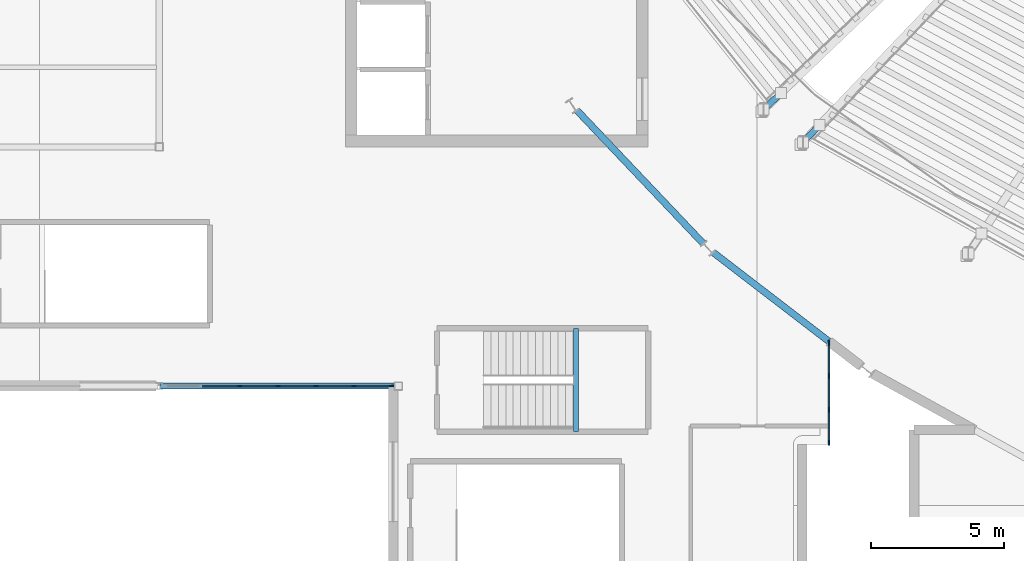
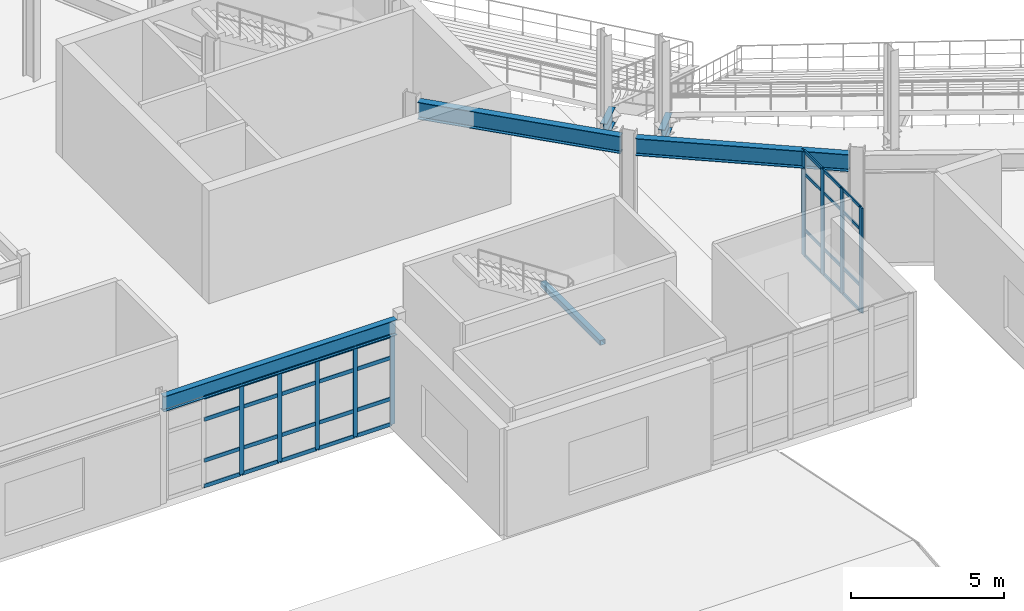
# One storey, part 21 of 81: 41 members, 6 beams, 2 elements without a shape of their own.
"""IFC4 building model written with IfcOpenShell, lengths in metres."""

from ifc_helpers import new_model, si_unit, direction, frame, origin, origin_2d, place, context, subcontext, project, spatial, rectangle, hollow_rectangle, i_section, extrude, material, material_profile, profile_set, type_object, element, aggregate, save


model = new_model("IFC4")

# Units and contexts
model_context = context("Model", 3, precision=1e-05, world=origin(), true_north=direction((0.0, 1.0)))
body_context = subcontext(model_context, "Body", "Model", "MODEL_VIEW")
ifc_project = project(units=[si_unit("LENGTHUNIT", "METRE"), si_unit("AREAUNIT", "SQUARE_METRE"), si_unit("VOLUMEUNIT", "CUBIC_METRE"), si_unit("PLANEANGLEUNIT", "RADIAN"), si_unit("MASSUNIT", "GRAM", prefix="KILO")], contexts=[model_context])

# Site, building, storey
site_placement = place(None, origin())
site = spatial("IfcSite", under=ifc_project, at=site_placement, CompositionType="ELEMENT")
building_placement = place(site_placement, origin())
building = spatial("IfcBuilding", under=site, at=building_placement, Name="Glasvene Arena", CompositionType="ELEMENT")
storey_placement = place(building_placement, frame((0.0, 0.0, 15.0)))
storey = spatial("IfcBuildingStorey", under=building, at=storey_placement, Name="L03", CompositionType="ELEMENT", Elevation=15.0)

# Beams
ifc_material_1 = material(Name="Steel S355J2", Category="steel")
ifc_material_profile_1 = material_profile(ifc_material_1, i_section(OverallWidth=0.228271484375, OverallDepth=0.607666015625, WebThickness=0.010986328125, FlangeThickness=0.017333984375, FilletRadius=0.0126953125, at=origin_2d()), Name="UKB 610x229x113")
ifc_profile_set_1 = profile_set([ifc_material_profile_1], Name="Steel S355J2")
beam_type_1 = type_object("IfcBeamType", Name="BM-GIRD-610", PredefinedType="BEAM", material=ifc_profile_set_1)
beam_1_placement = place(storey_placement, frame((36.050048828125, 36.0, 3.9462890625), z_axis=(1.0, 0.0, 0.0), x_axis=(0.0, 1.0, 0.0)))
element("IfcBeam", 1, at=beam_1_placement, inside=storey, type_object=beam_type_1, Name="Primary X girder L03-0940", PredefinedType="BEAM", context=body_context, shape_type="SweptSolid", body=[
    extrude(i_section(OverallWidth=0.228271484375, OverallDepth=0.607666015625, WebThickness=0.010986328125, FlangeThickness=0.017333984375, FilletRadius=0.0126953125, at=origin_2d()), origin(), (0.0, 0.0, 1.0), 8.804931640625),
])
for number, where, z_axis, x_axis, name in (
    (2, (59.394287109375, 47.022705078125, 0.60498046875), (-0.723078356625, -0.690766016955, 0.0), (0.690766016955, -0.723078356625, 0.0), "Upper raker rear seat haunch girder RKS-10-3"),
    (3, (60.84130859375, 45.81640625, 0.60498046875), (-0.691010672315, -0.722844555037, 0.0), (0.722844555037, -0.691010672315, 0.0), "Upper raker rear seat haunch girder RKS-11-1"),
):
    element("IfcBeam", number, at=place(storey_placement, frame(where, z_axis=z_axis, x_axis=x_axis)), inside=storey, type_object=beam_type_1, Name=name, PredefinedType="BEAM", context=body_context, shape_type="SweptSolid", body=[
        extrude(i_section(OverallWidth=0.228271484375, OverallDepth=0.607666015625, WebThickness=0.010986328125, FlangeThickness=0.017333984375, FilletRadius=0.0126953125, at=origin_2d()), origin(), (0.0, 0.0, 1.0), 1.02001953125),
    ])
ifc_material_profile_2 = material_profile(ifc_material_1, i_section(OverallWidth=0.253662109375, OverallDepth=0.68359375, WebThickness=0.012451171875, FlangeThickness=0.01904296875, FilletRadius=0.01513671875, at=origin_2d()), Name="UKB 686x254x140")
ifc_profile_set_2 = profile_set([ifc_material_profile_2], Name="Steel S355J2")
beam_type_2 = type_object("IfcBeamType", Name="BM-GIRD-686", PredefinedType="BEAM", material=ifc_profile_set_2)
beam_2_placement = place(storey_placement, frame((51.71435546875, 46.37548828125, 3.908203125), z_axis=(0.688366558931, -0.725362999157, 0.0), x_axis=(0.725362999157, 0.688366558931, 0.0)))
element("IfcBeam", 4, at=beam_2_placement, inside=storey, type_object=beam_type_2, Name="Bowl ring chord beam L03-25", PredefinedType="BEAM", context=body_context, shape_type="SweptSolid", body=[
    extrude(i_section(OverallWidth=0.253662109375, OverallDepth=0.68359375, WebThickness=0.012451171875, FlangeThickness=0.01904296875, FilletRadius=0.01513671875, at=origin_2d()), origin(), (0.0, 0.0, 1.0), 6.92236328125),
])
beam_3_placement = place(storey_placement, frame((56.8349609375, 41.033935546875, 3.908203125), z_axis=(0.792832644474, -0.609439412786, 0.0), x_axis=(0.609439412786, 0.792832644474, 0.0)))
element("IfcBeam", 5, at=beam_3_placement, inside=storey, type_object=beam_type_2, Name="Bowl ring chord beam L03-26", PredefinedType="BEAM", context=body_context, shape_type="SweptSolid", body=[
    extrude(i_section(OverallWidth=0.253662109375, OverallDepth=0.68359375, WebThickness=0.012451171875, FlangeThickness=0.01904296875, FilletRadius=0.01513671875, at=origin_2d()), origin(), (0.0, 0.0, 1.0), 7.044921875),
])
ifc_material_profile_3 = material_profile(ifc_material_1, hollow_rectangle(XDim=0.199951171875, YDim=0.199951171875, WallThickness=0.010009765625, at=origin_2d()), Name="SHS 200x200x10.0")
ifc_profile_set_3 = profile_set([ifc_material_profile_3], Name="Steel S355J2")
beam_type_3 = type_object("IfcBeamType", Name="BM-LINTEL-200", PredefinedType="LINTEL", material=ifc_profile_set_3)
beam_4_placement = place(storey_placement, frame((51.679931640625, 34.280029296875, 1.929931640625), z_axis=(0.0, 1.0, 0.0), x_axis=(-1.0, 0.0, 0.0)))
element("IfcBeam", 6, at=beam_4_placement, inside=storey, type_object=beam_type_3, Name="Stair half-landing support beam ST-05-L03", PredefinedType="LINTEL", context=body_context, shape_type="SweptSolid", body=[
    extrude(hollow_rectangle(XDim=0.199951171875, YDim=0.199951171875, WallThickness=0.010009765625, at=origin_2d()), origin(), (0.0, 0.0, 1.0), 3.889892578125),
])

# Curtain wall, members
ifc_material_2 = material(Name="Low-emissivity laminated double glazing", Category="glass")
curtain_wall_type_1 = type_object("IfcCurtainWallType", Name="CW-FAC-L03-859x358", PredefinedType="USERDEFINED", material=ifc_material_2)
curtain_wall_1_placement = place(storey_placement, frame((44.760009765625, 36.0, 0.0)))
curtain_wall_1 = element("IfcCurtainWall", 7, at=curtain_wall_1_placement, inside=storey, type_object=curtain_wall_type_1, Name="Unitised curtain wall CW-F-L03-150-405-360-73", ObjectType="CURTAIN WALL", PredefinedType="USERDEFINED")
ifc_material_3 = material(Name="Anodised architectural aluminium", Category="aluminium")
ifc_material_profile_4 = material_profile(ifc_material_3, rectangle(XDim=0.050048828125, YDim=0.159912109375, at=origin_2d()), Name="ALU MULLION 50x160")
ifc_profile_set_4 = profile_set([ifc_material_profile_4], Name="Anodised architectural aluminium")
member_type_1 = type_object("IfcMemberType", Name="CW-MUL-150", PredefinedType="MULLION", material=ifc_profile_set_4)
member_1_placement = place(storey_placement, frame((44.735107421875, 36.0, 0.06005859375), z_axis=(0.0, 0.0, 1.0), x_axis=(0.0, -1.0, 0.0)))
member_1 = element("IfcMember", 8, at=member_1_placement, type_object=member_type_1, Name="CW-045 mullion 1", PredefinedType="MULLION", context=body_context, shape_type="SweptSolid", body=[
    extrude(rectangle(XDim=0.050048828125, YDim=0.159912109375, at=origin_2d()), origin(), (0.0, 0.0, 1.0), 3.576904296875),
])
member_2_placement = place(storey_placement, frame((43.328369140625, 36.0, 0.06005859375), z_axis=(0.0, 0.0, 1.0), x_axis=(0.0, -1.0, 0.0)))
member_2 = element("IfcMember", 9, at=member_2_placement, type_object=member_type_1, Name="CW-045 mullion 2", PredefinedType="MULLION", context=body_context, shape_type="SweptSolid", body=[
    extrude(rectangle(XDim=0.050048828125, YDim=0.159912109375, at=origin_2d()), origin(), (0.0, 0.0, 1.0), 3.576904296875),
])
member_3_placement = place(storey_placement, frame((41.896728515625, 36.0, 0.06005859375), z_axis=(0.0, 0.0, 1.0), x_axis=(0.0, -1.0, 0.0)))
member_3 = element("IfcMember", 10, at=member_3_placement, type_object=member_type_1, Name="CW-045 mullion 3", PredefinedType="MULLION", context=body_context, shape_type="SweptSolid", body=[
    extrude(rectangle(XDim=0.050048828125, YDim=0.159912109375, at=origin_2d()), origin(), (0.0, 0.0, 1.0), 3.576904296875),
])
member_4_placement = place(storey_placement, frame((40.465087890625, 36.0, 0.06005859375), z_axis=(0.0, 0.0, 1.0), x_axis=(0.0, -1.0, 0.0)))
member_4 = element("IfcMember", 11, at=member_4_placement, type_object=member_type_1, Name="CW-045 mullion 4", PredefinedType="MULLION", context=body_context, shape_type="SweptSolid", body=[
    extrude(rectangle(XDim=0.050048828125, YDim=0.159912109375, at=origin_2d()), origin(), (0.0, 0.0, 1.0), 3.576904296875),
])
member_5_placement = place(storey_placement, frame((39.033447265625, 36.0, 0.06005859375), z_axis=(0.0, 0.0, 1.0), x_axis=(0.0, -1.0, 0.0)))
member_5 = element("IfcMember", 12, at=member_5_placement, type_object=member_type_1, Name="CW-045 mullion 5", PredefinedType="MULLION", context=body_context, shape_type="SweptSolid", body=[
    extrude(rectangle(XDim=0.050048828125, YDim=0.159912109375, at=origin_2d()), origin(), (0.0, 0.0, 1.0), 3.576904296875),
])

curtain_wall_type_2 = type_object("IfcCurtainWallType", Name="CW-FAC-L03-380x419", PredefinedType="USERDEFINED", material=ifc_material_2)
curtain_wall_2_placement = place(storey_placement, frame((61.199951171875, 37.638671875, 0.0)))
curtain_wall_2 = element("IfcCurtainWall", 13, at=curtain_wall_2_placement, inside=storey, type_object=curtain_wall_type_2, Name="Unitised curtain wall CW-F-L03-180-612-357-67", ObjectType="CURTAIN WALL", PredefinedType="USERDEFINED")
ifc_material_profile_5 = material_profile(ifc_material_3, rectangle(XDim=0.050048828125, YDim=0.199951171875, at=origin_2d()), Name="ALU MULLION 50x200")
ifc_profile_set_5 = profile_set([ifc_material_profile_5], Name="Anodised architectural aluminium")
member_type_2 = type_object("IfcMemberType", Name="CW-MUL-180", PredefinedType="MULLION", material=ifc_profile_set_5)
member_6_placement = place(storey_placement, frame((61.199951171875, 37.613525390625, 0.06005859375), z_axis=(0.0, 0.0, 1.0), x_axis=(1.0, 0.0, 0.0)))
member_6 = element("IfcMember", 14, at=member_6_placement, type_object=member_type_2, Name="CW-044 mullion 1", PredefinedType="MULLION", context=body_context, shape_type="SweptSolid", body=[
    extrude(rectangle(XDim=0.050048828125, YDim=0.199951171875, at=origin_2d()), origin(), (0.0, 0.0, 1.0), 4.18994140625),
])
member_7_placement = place(storey_placement, frame((61.199951171875, 36.372314453125, 0.06005859375), z_axis=(0.0, 0.0, 1.0), x_axis=(1.0, 0.0, 0.0)))
member_7 = element("IfcMember", 15, at=member_7_placement, type_object=member_type_2, Name="CW-044 mullion 2", PredefinedType="MULLION", context=body_context, shape_type="SweptSolid", body=[
    extrude(rectangle(XDim=0.050048828125, YDim=0.199951171875, at=origin_2d()), origin(), (0.0, 0.0, 1.0), 4.18994140625),
])
member_8_placement = place(storey_placement, frame((61.199951171875, 35.106201171875, 0.06005859375), z_axis=(0.0, 0.0, 1.0), x_axis=(1.0, 0.0, 0.0)))
member_8 = element("IfcMember", 16, at=member_8_placement, type_object=member_type_2, Name="CW-044 mullion 3", PredefinedType="MULLION", context=body_context, shape_type="SweptSolid", body=[
    extrude(rectangle(XDim=0.050048828125, YDim=0.199951171875, at=origin_2d()), origin(), (0.0, 0.0, 1.0), 4.18994140625),
])
member_9_placement = place(storey_placement, frame((61.199951171875, 33.864990234375, 0.06005859375), z_axis=(0.0, 0.0, 1.0), x_axis=(1.0, 0.0, 0.0)))
member_9 = element("IfcMember", 17, at=member_9_placement, type_object=member_type_2, Name="CW-044 mullion 4", PredefinedType="MULLION", context=body_context, shape_type="SweptSolid", body=[
    extrude(rectangle(XDim=0.050048828125, YDim=0.199951171875, at=origin_2d()), origin(), (0.0, 0.0, 1.0), 4.18994140625),
])
ifc_material_profile_6 = material_profile(ifc_material_3, rectangle(XDim=0.050048828125, YDim=0.1201171875, at=origin_2d()), Name="ALU TRANSOM 50x120")
ifc_profile_set_6 = profile_set([ifc_material_profile_6], Name="Anodised architectural aluminium")
member_type_3 = type_object("IfcMemberType", Name="CW-TRN-120", PredefinedType="USERDEFINED", material=ifc_profile_set_6)
member_10_placement = place(storey_placement, frame((61.199951171875, 37.588623046875, 0.0849609375), z_axis=(0.0, -1.0, 0.0), x_axis=(1.0, 0.0, 0.0)))
member_10 = element("IfcMember", 18, at=member_10_placement, type_object=member_type_3, Name="CW-044 transom 1.1", ObjectType="TRANSOM", PredefinedType="USERDEFINED", context=body_context, shape_type="SweptSolid", body=[
    extrude(rectangle(XDim=0.050048828125, YDim=0.1201171875, at=origin_2d()), origin(), (0.0, 0.0, 1.0), 1.191162109375),
])
member_11_placement = place(storey_placement, frame((61.199951171875, 37.588623046875, 1.10009765625), z_axis=(0.0, -1.0, 0.0), x_axis=(1.0, 0.0, 0.0)))
member_11 = element("IfcMember", 19, at=member_11_placement, type_object=member_type_3, Name="CW-044 transom 1.2", ObjectType="TRANSOM", PredefinedType="USERDEFINED", context=body_context, shape_type="SweptSolid", body=[
    extrude(rectangle(XDim=0.050048828125, YDim=0.1201171875, at=origin_2d()), origin(), (0.0, 0.0, 1.0), 1.191162109375),
])
member_12_placement = place(storey_placement, frame((61.199951171875, 37.588623046875, 3.35009765625), z_axis=(0.0, -1.0, 0.0), x_axis=(1.0, 0.0, 0.0)))
member_12 = element("IfcMember", 20, at=member_12_placement, type_object=member_type_3, Name="CW-044 transom 1.3", ObjectType="TRANSOM", PredefinedType="USERDEFINED", context=body_context, shape_type="SweptSolid", body=[
    extrude(rectangle(XDim=0.050048828125, YDim=0.1201171875, at=origin_2d()), origin(), (0.0, 0.0, 1.0), 1.191162109375),
])
member_13_placement = place(storey_placement, frame((61.199951171875, 37.588623046875, 4.22509765625), z_axis=(0.0, -1.0, 0.0), x_axis=(1.0, 0.0, 0.0)))
member_13 = element("IfcMember", 21, at=member_13_placement, type_object=member_type_3, Name="CW-044 transom 1.4", ObjectType="TRANSOM", PredefinedType="USERDEFINED", context=body_context, shape_type="SweptSolid", body=[
    extrude(rectangle(XDim=0.050048828125, YDim=0.1201171875, at=origin_2d()), origin(), (0.0, 0.0, 1.0), 1.191162109375),
])
member_14_placement = place(storey_placement, frame((61.199951171875, 36.347412109375, 0.0849609375), z_axis=(0.0, -1.0, 0.0), x_axis=(1.0, 0.0, 0.0)))
member_14 = element("IfcMember", 22, at=member_14_placement, type_object=member_type_3, Name="CW-044 transom 2.1", ObjectType="TRANSOM", PredefinedType="USERDEFINED", context=body_context, shape_type="SweptSolid", body=[
    extrude(rectangle(XDim=0.050048828125, YDim=0.1201171875, at=origin_2d()), origin(), (0.0, 0.0, 1.0), 1.21630859375),
])
member_15_placement = place(storey_placement, frame((61.199951171875, 36.347412109375, 1.10009765625), z_axis=(0.0, -1.0, 0.0), x_axis=(1.0, 0.0, 0.0)))
member_15 = element("IfcMember", 23, at=member_15_placement, type_object=member_type_3, Name="CW-044 transom 2.2", ObjectType="TRANSOM", PredefinedType="USERDEFINED", context=body_context, shape_type="SweptSolid", body=[
    extrude(rectangle(XDim=0.050048828125, YDim=0.1201171875, at=origin_2d()), origin(), (0.0, 0.0, 1.0), 1.21630859375),
])
member_16_placement = place(storey_placement, frame((61.199951171875, 36.347412109375, 3.35009765625), z_axis=(0.0, -1.0, 0.0), x_axis=(1.0, 0.0, 0.0)))
member_16 = element("IfcMember", 24, at=member_16_placement, type_object=member_type_3, Name="CW-044 transom 2.3", ObjectType="TRANSOM", PredefinedType="USERDEFINED", context=body_context, shape_type="SweptSolid", body=[
    extrude(rectangle(XDim=0.050048828125, YDim=0.1201171875, at=origin_2d()), origin(), (0.0, 0.0, 1.0), 1.21630859375),
])
member_17_placement = place(storey_placement, frame((61.199951171875, 36.347412109375, 4.22509765625), z_axis=(0.0, -1.0, 0.0), x_axis=(1.0, 0.0, 0.0)))
member_17 = element("IfcMember", 25, at=member_17_placement, type_object=member_type_3, Name="CW-044 transom 2.4", ObjectType="TRANSOM", PredefinedType="USERDEFINED", context=body_context, shape_type="SweptSolid", body=[
    extrude(rectangle(XDim=0.050048828125, YDim=0.1201171875, at=origin_2d()), origin(), (0.0, 0.0, 1.0), 1.21630859375),
])
member_18_placement = place(storey_placement, frame((61.199951171875, 35.081298828125, 0.0849609375), z_axis=(0.0, -1.0, 0.0), x_axis=(1.0, 0.0, 0.0)))
member_18 = element("IfcMember", 26, at=member_18_placement, type_object=member_type_3, Name="CW-044 transom 3.1", ObjectType="TRANSOM", PredefinedType="USERDEFINED", context=body_context, shape_type="SweptSolid", body=[
    extrude(rectangle(XDim=0.050048828125, YDim=0.1201171875, at=origin_2d()), origin(), (0.0, 0.0, 1.0), 1.19140625),
])
member_19_placement = place(storey_placement, frame((61.199951171875, 35.081298828125, 1.10009765625), z_axis=(0.0, -1.0, 0.0), x_axis=(1.0, 0.0, 0.0)))
member_19 = element("IfcMember", 27, at=member_19_placement, type_object=member_type_3, Name="CW-044 transom 3.2", ObjectType="TRANSOM", PredefinedType="USERDEFINED", context=body_context, shape_type="SweptSolid", body=[
    extrude(rectangle(XDim=0.050048828125, YDim=0.1201171875, at=origin_2d()), origin(), (0.0, 0.0, 1.0), 1.19140625),
])
member_20_placement = place(storey_placement, frame((61.199951171875, 35.081298828125, 3.35009765625), z_axis=(0.0, -1.0, 0.0), x_axis=(1.0, 0.0, 0.0)))
member_20 = element("IfcMember", 28, at=member_20_placement, type_object=member_type_3, Name="CW-044 transom 3.3", ObjectType="TRANSOM", PredefinedType="USERDEFINED", context=body_context, shape_type="SweptSolid", body=[
    extrude(rectangle(XDim=0.050048828125, YDim=0.1201171875, at=origin_2d()), origin(), (0.0, 0.0, 1.0), 1.19140625),
])
member_21_placement = place(storey_placement, frame((61.199951171875, 35.081298828125, 4.22509765625), z_axis=(0.0, -1.0, 0.0), x_axis=(1.0, 0.0, 0.0)))
member_21 = element("IfcMember", 29, at=member_21_placement, type_object=member_type_3, Name="CW-044 transom 3.4", ObjectType="TRANSOM", PredefinedType="USERDEFINED", context=body_context, shape_type="SweptSolid", body=[
    extrude(rectangle(XDim=0.050048828125, YDim=0.1201171875, at=origin_2d()), origin(), (0.0, 0.0, 1.0), 1.19140625),
])
aggregate(curtain_wall_2, [member_6, member_7, member_8, member_9, member_10, member_11, member_12, member_13, member_14, member_15, member_16, member_17, member_18, member_19, member_20, member_21])

# Member
ifc_material_profile_7 = material_profile(ifc_material_3, rectangle(XDim=0.050048828125, YDim=0.14990234375, at=origin_2d()), Name="ALU TRANSOM 50x150")
ifc_profile_set_7 = profile_set([ifc_material_profile_7], Name="Anodised architectural aluminium")
member_type_4 = type_object("IfcMemberType", Name="CW-TRN-150", PredefinedType="USERDEFINED", material=ifc_profile_set_7)
member_22_placement = place(storey_placement, frame((44.7099609375, 36.0, 0.0849609375), z_axis=(-1.0, 0.0, 0.0), x_axis=(0.0, -1.0, 0.0)))
member_22 = element("IfcMember", 30, at=member_22_placement, type_object=member_type_4, Name="CW-045 transom 1.1", ObjectType="TRANSOM", PredefinedType="USERDEFINED", context=body_context, shape_type="SweptSolid", body=[
    extrude(rectangle(XDim=0.050048828125, YDim=0.14990234375, at=origin_2d()), origin(), (0.0, 0.0, 1.0), 1.356689453125),
])

member_23_placement = place(storey_placement, frame((44.7099609375, 36.0, 1.10009765625), z_axis=(-1.0, 0.0, 0.0), x_axis=(0.0, -1.0, 0.0)))
member_23 = element("IfcMember", 31, at=member_23_placement, type_object=member_type_4, Name="CW-045 transom 1.2", ObjectType="TRANSOM", PredefinedType="USERDEFINED", context=body_context, shape_type="SweptSolid", body=[
    extrude(rectangle(XDim=0.050048828125, YDim=0.14990234375, at=origin_2d()), origin(), (0.0, 0.0, 1.0), 1.356689453125),
])

member_24_placement = place(storey_placement, frame((44.7099609375, 36.0, 2.737060546875), z_axis=(-1.0, 0.0, 0.0), x_axis=(0.0, -1.0, 0.0)))
member_24 = element("IfcMember", 32, at=member_24_placement, type_object=member_type_4, Name="CW-045 transom 1.3", ObjectType="TRANSOM", PredefinedType="USERDEFINED", context=body_context, shape_type="SweptSolid", body=[
    extrude(rectangle(XDim=0.050048828125, YDim=0.14990234375, at=origin_2d()), origin(), (0.0, 0.0, 1.0), 1.356689453125),
])

member_25_placement = place(storey_placement, frame((44.7099609375, 36.0, 3.612060546875), z_axis=(-1.0, 0.0, 0.0), x_axis=(0.0, -1.0, 0.0)))
member_25 = element("IfcMember", 33, at=member_25_placement, type_object=member_type_4, Name="CW-045 transom 1.4", ObjectType="TRANSOM", PredefinedType="USERDEFINED", context=body_context, shape_type="SweptSolid", body=[
    extrude(rectangle(XDim=0.050048828125, YDim=0.14990234375, at=origin_2d()), origin(), (0.0, 0.0, 1.0), 1.356689453125),
])

member_26_placement = place(storey_placement, frame((43.303466796875, 36.0, 0.0849609375), z_axis=(-1.0, 0.0, 0.0), x_axis=(0.0, -1.0, 0.0)))
member_26 = element("IfcMember", 34, at=member_26_placement, type_object=member_type_4, Name="CW-045 transom 2.1", ObjectType="TRANSOM", PredefinedType="USERDEFINED", context=body_context, shape_type="SweptSolid", body=[
    extrude(rectangle(XDim=0.050048828125, YDim=0.14990234375, at=origin_2d()), origin(), (0.0, 0.0, 1.0), 1.3818359375),
])

member_27_placement = place(storey_placement, frame((43.303466796875, 36.0, 1.10009765625), z_axis=(-1.0, 0.0, 0.0), x_axis=(0.0, -1.0, 0.0)))
member_27 = element("IfcMember", 35, at=member_27_placement, type_object=member_type_4, Name="CW-045 transom 2.2", ObjectType="TRANSOM", PredefinedType="USERDEFINED", context=body_context, shape_type="SweptSolid", body=[
    extrude(rectangle(XDim=0.050048828125, YDim=0.14990234375, at=origin_2d()), origin(), (0.0, 0.0, 1.0), 1.3818359375),
])

member_28_placement = place(storey_placement, frame((43.303466796875, 36.0, 2.737060546875), z_axis=(-1.0, 0.0, 0.0), x_axis=(0.0, -1.0, 0.0)))
member_28 = element("IfcMember", 36, at=member_28_placement, type_object=member_type_4, Name="CW-045 transom 2.3", ObjectType="TRANSOM", PredefinedType="USERDEFINED", context=body_context, shape_type="SweptSolid", body=[
    extrude(rectangle(XDim=0.050048828125, YDim=0.14990234375, at=origin_2d()), origin(), (0.0, 0.0, 1.0), 1.3818359375),
])

member_29_placement = place(storey_placement, frame((43.303466796875, 36.0, 3.612060546875), z_axis=(-1.0, 0.0, 0.0), x_axis=(0.0, -1.0, 0.0)))
member_29 = element("IfcMember", 37, at=member_29_placement, type_object=member_type_4, Name="CW-045 transom 2.4", ObjectType="TRANSOM", PredefinedType="USERDEFINED", context=body_context, shape_type="SweptSolid", body=[
    extrude(rectangle(XDim=0.050048828125, YDim=0.14990234375, at=origin_2d()), origin(), (0.0, 0.0, 1.0), 1.3818359375),
])

member_30_placement = place(storey_placement, frame((41.871826171875, 36.0, 0.0849609375), z_axis=(-1.0, 0.0, 0.0), x_axis=(0.0, -1.0, 0.0)))
member_30 = element("IfcMember", 38, at=member_30_placement, type_object=member_type_4, Name="CW-045 transom 3.1", ObjectType="TRANSOM", PredefinedType="USERDEFINED", context=body_context, shape_type="SweptSolid", body=[
    extrude(rectangle(XDim=0.050048828125, YDim=0.14990234375, at=origin_2d()), origin(), (0.0, 0.0, 1.0), 1.3818359375),
])

member_31_placement = place(storey_placement, frame((41.871826171875, 36.0, 1.10009765625), z_axis=(-1.0, 0.0, 0.0), x_axis=(0.0, -1.0, 0.0)))
member_31 = element("IfcMember", 39, at=member_31_placement, type_object=member_type_4, Name="CW-045 transom 3.2", ObjectType="TRANSOM", PredefinedType="USERDEFINED", context=body_context, shape_type="SweptSolid", body=[
    extrude(rectangle(XDim=0.050048828125, YDim=0.14990234375, at=origin_2d()), origin(), (0.0, 0.0, 1.0), 1.3818359375),
])

member_32_placement = place(storey_placement, frame((41.871826171875, 36.0, 2.737060546875), z_axis=(-1.0, 0.0, 0.0), x_axis=(0.0, -1.0, 0.0)))
member_32 = element("IfcMember", 40, at=member_32_placement, type_object=member_type_4, Name="CW-045 transom 3.3", ObjectType="TRANSOM", PredefinedType="USERDEFINED", context=body_context, shape_type="SweptSolid", body=[
    extrude(rectangle(XDim=0.050048828125, YDim=0.14990234375, at=origin_2d()), origin(), (0.0, 0.0, 1.0), 1.3818359375),
])

member_33_placement = place(storey_placement, frame((41.871826171875, 36.0, 3.612060546875), z_axis=(-1.0, 0.0, 0.0), x_axis=(0.0, -1.0, 0.0)))
member_33 = element("IfcMember", 41, at=member_33_placement, type_object=member_type_4, Name="CW-045 transom 3.4", ObjectType="TRANSOM", PredefinedType="USERDEFINED", context=body_context, shape_type="SweptSolid", body=[
    extrude(rectangle(XDim=0.050048828125, YDim=0.14990234375, at=origin_2d()), origin(), (0.0, 0.0, 1.0), 1.3818359375),
])

member_34_placement = place(storey_placement, frame((40.440185546875, 36.0, 0.0849609375), z_axis=(-1.0, 0.0, 0.0), x_axis=(0.0, -1.0, 0.0)))
member_34 = element("IfcMember", 42, at=member_34_placement, type_object=member_type_4, Name="CW-045 transom 4.1", ObjectType="TRANSOM", PredefinedType="USERDEFINED", context=body_context, shape_type="SweptSolid", body=[
    extrude(rectangle(XDim=0.050048828125, YDim=0.14990234375, at=origin_2d()), origin(), (0.0, 0.0, 1.0), 1.3818359375),
])

member_35_placement = place(storey_placement, frame((40.440185546875, 36.0, 1.10009765625), z_axis=(-1.0, 0.0, 0.0), x_axis=(0.0, -1.0, 0.0)))
member_35 = element("IfcMember", 43, at=member_35_placement, type_object=member_type_4, Name="CW-045 transom 4.2", ObjectType="TRANSOM", PredefinedType="USERDEFINED", context=body_context, shape_type="SweptSolid", body=[
    extrude(rectangle(XDim=0.050048828125, YDim=0.14990234375, at=origin_2d()), origin(), (0.0, 0.0, 1.0), 1.3818359375),
])

member_36_placement = place(storey_placement, frame((40.440185546875, 36.0, 2.737060546875), z_axis=(-1.0, 0.0, 0.0), x_axis=(0.0, -1.0, 0.0)))
member_36 = element("IfcMember", 44, at=member_36_placement, type_object=member_type_4, Name="CW-045 transom 4.3", ObjectType="TRANSOM", PredefinedType="USERDEFINED", context=body_context, shape_type="SweptSolid", body=[
    extrude(rectangle(XDim=0.050048828125, YDim=0.14990234375, at=origin_2d()), origin(), (0.0, 0.0, 1.0), 1.3818359375),
])

member_37_placement = place(storey_placement, frame((40.440185546875, 36.0, 3.612060546875), z_axis=(-1.0, 0.0, 0.0), x_axis=(0.0, -1.0, 0.0)))
member_37 = element("IfcMember", 45, at=member_37_placement, type_object=member_type_4, Name="CW-045 transom 4.4", ObjectType="TRANSOM", PredefinedType="USERDEFINED", context=body_context, shape_type="SweptSolid", body=[
    extrude(rectangle(XDim=0.050048828125, YDim=0.14990234375, at=origin_2d()), origin(), (0.0, 0.0, 1.0), 1.3818359375),
])

member_38_placement = place(storey_placement, frame((39.008544921875, 36.0, 0.0849609375), z_axis=(-1.0, 0.0, 0.0), x_axis=(0.0, -1.0, 0.0)))
member_38 = element("IfcMember", 46, at=member_38_placement, type_object=member_type_4, Name="CW-045 transom 5.1", ObjectType="TRANSOM", PredefinedType="USERDEFINED", context=body_context, shape_type="SweptSolid", body=[
    extrude(rectangle(XDim=0.050048828125, YDim=0.14990234375, at=origin_2d()), origin(), (0.0, 0.0, 1.0), 1.381591796875),
])

member_39_placement = place(storey_placement, frame((39.008544921875, 36.0, 1.10009765625), z_axis=(-1.0, 0.0, 0.0), x_axis=(0.0, -1.0, 0.0)))
member_39 = element("IfcMember", 47, at=member_39_placement, type_object=member_type_4, Name="CW-045 transom 5.2", ObjectType="TRANSOM", PredefinedType="USERDEFINED", context=body_context, shape_type="SweptSolid", body=[
    extrude(rectangle(XDim=0.050048828125, YDim=0.14990234375, at=origin_2d()), origin(), (0.0, 0.0, 1.0), 1.381591796875),
])

member_40_placement = place(storey_placement, frame((39.008544921875, 36.0, 2.737060546875), z_axis=(-1.0, 0.0, 0.0), x_axis=(0.0, -1.0, 0.0)))
member_40 = element("IfcMember", 48, at=member_40_placement, type_object=member_type_4, Name="CW-045 transom 5.3", ObjectType="TRANSOM", PredefinedType="USERDEFINED", context=body_context, shape_type="SweptSolid", body=[
    extrude(rectangle(XDim=0.050048828125, YDim=0.14990234375, at=origin_2d()), origin(), (0.0, 0.0, 1.0), 1.381591796875),
])

member_41_placement = place(storey_placement, frame((39.008544921875, 36.0, 3.612060546875), z_axis=(-1.0, 0.0, 0.0), x_axis=(0.0, -1.0, 0.0)))
member_41 = element("IfcMember", 49, at=member_41_placement, type_object=member_type_4, Name="CW-045 transom 5.4", ObjectType="TRANSOM", PredefinedType="USERDEFINED", context=body_context, shape_type="SweptSolid", body=[
    extrude(rectangle(XDim=0.050048828125, YDim=0.14990234375, at=origin_2d()), origin(), (0.0, 0.0, 1.0), 1.381591796875),
])

aggregate(curtain_wall_1, [member_1, member_2, member_3, member_4, member_5, member_22, member_23, member_24, member_25, member_26, member_27, member_28, member_29, member_30, member_31, member_32, member_33, member_34, member_35, member_36, member_37, member_38, member_39, member_40, member_41])

save(model, "model.ifc")
